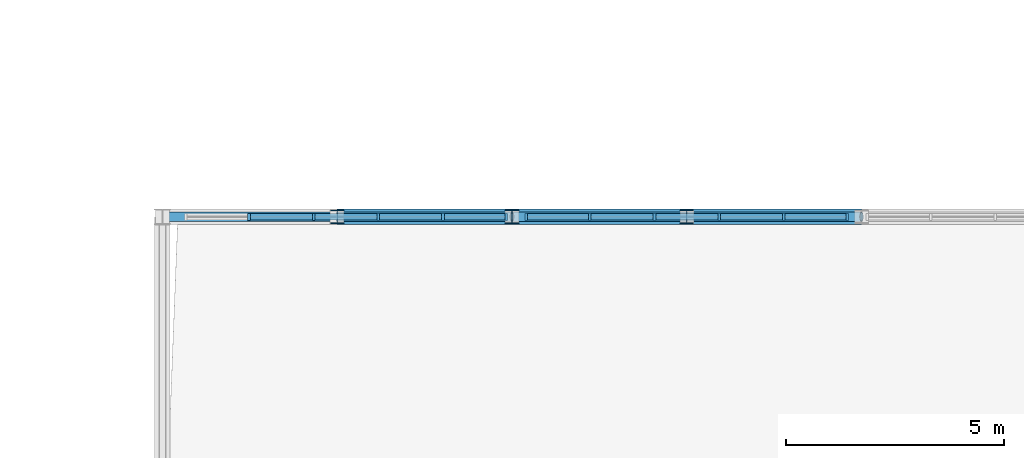
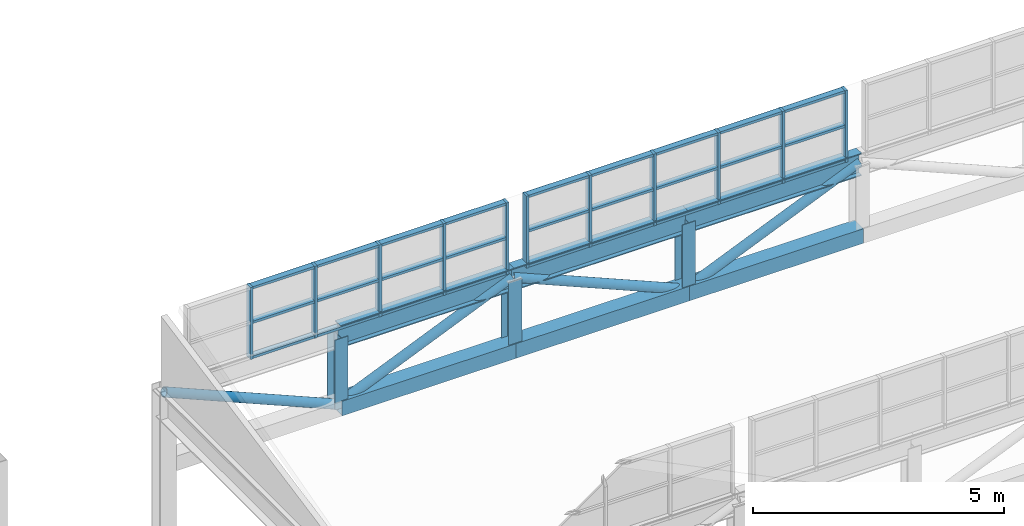
# One storey, part 85 of 159: 51 members, 2 elements without a shape of their own.
"""IFC4 building model written with IfcOpenShell, lengths in metres."""

from ifc_helpers import new_model, si_unit, direction, frame, origin, origin_2d, place, context, subcontext, project, spatial, rectangle, hollow_rectangle, hollow_circle, i_section, extrude, material, layer, layer_set, material_profile, profile_set, type_object, element, aggregate, save


model = new_model("IFC4")

# Units and contexts
model_context = context("Model", 3, precision=1e-05, world=origin(), true_north=direction((0.0, 1.0)))
body_context = subcontext(model_context, "Body", "Model", "MODEL_VIEW")
ifc_project = project(units=[si_unit("LENGTHUNIT", "METRE"), si_unit("AREAUNIT", "SQUARE_METRE"), si_unit("VOLUMEUNIT", "CUBIC_METRE"), si_unit("PLANEANGLEUNIT", "RADIAN"), si_unit("MASSUNIT", "GRAM", prefix="KILO")], contexts=[model_context])

# Site, building, storey
site_placement = place(None, origin())
site = spatial("IfcSite", under=ifc_project, at=site_placement, CompositionType="ELEMENT")
building_placement = place(site_placement, origin())
building = spatial("IfcBuilding", under=site, at=building_placement, Name="Cazmaro Siding Exhibition Halls", CompositionType="ELEMENT")
storey_placement = place(building_placement, frame((0.0, 0.0, 6.0)))
storey = spatial("IfcBuildingStorey", under=building, at=storey_placement, Name="L01", CompositionType="ELEMENT", Elevation=6.0)

# Curtain wall, members
ifc_material_1 = material(Name="Anodized Bronze Aluminum and Solar-Control Low-E Glazing", Category="aluminium")
ifc_layer = layer(ifc_material_1, 0.159912109375)
ifc_layer_set = layer_set([ifc_layer], Name="Anodized Bronze Aluminum and Solar-Control Low-E Glazing")
curtain_wall_type = type_object("IfcCurtainWallType", Name="CWS-04", PredefinedType="USERDEFINED", material=ifc_layer_set)
curtain_wall_1_placement = place(storey_placement, origin())
curtain_wall_1 = element("IfcCurtainWall", 1, at=curtain_wall_1_placement, inside=storey, type_object=curtain_wall_type, Name="Clerestory Curtain Wall CWS-04 CW-135", ObjectType="CLERESTORY CURTAIN WALL", PredefinedType="USERDEFINED")
ifc_material_2 = material(Name="Anodized Bronze Extruded Aluminum", Category="aluminium")
ifc_material_profile_1 = material_profile(ifc_material_2, rectangle(XDim=0.159912109375, YDim=0.06005859375, at=origin_2d()), Name="CWM-04")
ifc_profile_set_1 = profile_set([ifc_material_profile_1], Name="Anodized Bronze Extruded Aluminum")
member_type_1 = type_object("IfcMemberType", Name="CWM-04", PredefinedType="MULLION", material=ifc_profile_set_1)
member_1_placement = place(storey_placement, frame((183.8701171875, 118.0, 4.800048828125), z_axis=(0.0, 0.0, 1.0), x_axis=(0.0, -1.0, 0.0)))
member_1 = element("IfcMember", 2, at=member_1_placement, type_object=member_type_1, Name="CWS-04 mullion 1", PredefinedType="MULLION", context=body_context, shape_type="SweptSolid", body=[
    extrude(rectangle(XDim=0.159912109375, YDim=0.06005859375, at=origin_2d()), origin(), (0.0, 0.0, 1.0), 1.75),
])
member_2_placement = place(storey_placement, frame((182.419921875, 118.0, 4.800048828125), z_axis=(0.0, 0.0, 1.0), x_axis=(0.0, -1.0, 0.0)))
member_2 = element("IfcMember", 3, at=member_2_placement, type_object=member_type_1, Name="CWS-04 mullion 2", PredefinedType="MULLION", context=body_context, shape_type="SweptSolid", body=[
    extrude(rectangle(XDim=0.159912109375, YDim=0.06005859375, at=origin_2d()), origin(), (0.0, 0.0, 1.0), 1.75),
])
member_3_placement = place(storey_placement, frame((180.93994140625, 118.0, 4.800048828125), z_axis=(0.0, 0.0, 1.0), x_axis=(0.0, -1.0, 0.0)))
member_3 = element("IfcMember", 4, at=member_3_placement, type_object=member_type_1, Name="CWS-04 mullion 3", PredefinedType="MULLION", context=body_context, shape_type="SweptSolid", body=[
    extrude(rectangle(XDim=0.159912109375, YDim=0.06005859375, at=origin_2d()), origin(), (0.0, 0.0, 1.0), 1.75),
])
member_4_placement = place(storey_placement, frame((179.4599609375, 118.0, 4.800048828125), z_axis=(0.0, 0.0, 1.0), x_axis=(0.0, -1.0, 0.0)))
member_4 = element("IfcMember", 5, at=member_4_placement, type_object=member_type_1, Name="CWS-04 mullion 4", PredefinedType="MULLION", context=body_context, shape_type="SweptSolid", body=[
    extrude(rectangle(XDim=0.159912109375, YDim=0.06005859375, at=origin_2d()), origin(), (0.0, 0.0, 1.0), 1.75),
])
member_5_placement = place(storey_placement, frame((177.97998046875, 118.0, 4.800048828125), z_axis=(0.0, 0.0, 1.0), x_axis=(0.0, -1.0, 0.0)))
member_5 = element("IfcMember", 6, at=member_5_placement, type_object=member_type_1, Name="CWS-04 mullion 5", PredefinedType="MULLION", context=body_context, shape_type="SweptSolid", body=[
    extrude(rectangle(XDim=0.159912109375, YDim=0.06005859375, at=origin_2d()), origin(), (0.0, 0.0, 1.0), 1.75),
])

curtain_wall_2_placement = place(storey_placement, origin())
curtain_wall_2 = element("IfcCurtainWall", 7, at=curtain_wall_2_placement, inside=storey, type_object=curtain_wall_type, Name="Clerestory Curtain Wall CWS-04 CW-136", ObjectType="CLERESTORY CURTAIN WALL", PredefinedType="USERDEFINED")
member_6_placement = place(storey_placement, frame((191.669921875, 118.0, 4.800048828125), z_axis=(0.0, 0.0, 1.0), x_axis=(0.0, -1.0, 0.0)))
member_6 = element("IfcMember", 8, at=member_6_placement, type_object=member_type_1, Name="CWS-04 mullion 1", PredefinedType="MULLION", context=body_context, shape_type="SweptSolid", body=[
    extrude(rectangle(XDim=0.159912109375, YDim=0.06005859375, at=origin_2d()), origin(), (0.0, 0.0, 1.0), 1.75),
])
member_7_placement = place(storey_placement, frame((190.219970703125, 118.0, 4.800048828125), z_axis=(0.0, 0.0, 1.0), x_axis=(0.0, -1.0, 0.0)))
member_7 = element("IfcMember", 9, at=member_7_placement, type_object=member_type_1, Name="CWS-04 mullion 2", PredefinedType="MULLION", context=body_context, shape_type="SweptSolid", body=[
    extrude(rectangle(XDim=0.159912109375, YDim=0.06005859375, at=origin_2d()), origin(), (0.0, 0.0, 1.0), 1.75),
])
member_8_placement = place(storey_placement, frame((188.739990234375, 118.0, 4.800048828125), z_axis=(0.0, 0.0, 1.0), x_axis=(0.0, -1.0, 0.0)))
member_8 = element("IfcMember", 10, at=member_8_placement, type_object=member_type_1, Name="CWS-04 mullion 3", PredefinedType="MULLION", context=body_context, shape_type="SweptSolid", body=[
    extrude(rectangle(XDim=0.159912109375, YDim=0.06005859375, at=origin_2d()), origin(), (0.0, 0.0, 1.0), 1.75),
])
member_9_placement = place(storey_placement, frame((187.260009765625, 118.0, 4.800048828125), z_axis=(0.0, 0.0, 1.0), x_axis=(0.0, -1.0, 0.0)))
member_9 = element("IfcMember", 11, at=member_9_placement, type_object=member_type_1, Name="CWS-04 mullion 4", PredefinedType="MULLION", context=body_context, shape_type="SweptSolid", body=[
    extrude(rectangle(XDim=0.159912109375, YDim=0.06005859375, at=origin_2d()), origin(), (0.0, 0.0, 1.0), 1.75),
])
member_10_placement = place(storey_placement, frame((185.780029296875, 118.0, 4.800048828125), z_axis=(0.0, 0.0, 1.0), x_axis=(0.0, -1.0, 0.0)))
member_10 = element("IfcMember", 12, at=member_10_placement, type_object=member_type_1, Name="CWS-04 mullion 5", PredefinedType="MULLION", context=body_context, shape_type="SweptSolid", body=[
    extrude(rectangle(XDim=0.159912109375, YDim=0.06005859375, at=origin_2d()), origin(), (0.0, 0.0, 1.0), 1.75),
])
member_11_placement = place(storey_placement, frame((184.330078125, 118.0, 4.800048828125), z_axis=(0.0, 0.0, 1.0), x_axis=(0.0, -1.0, 0.0)))
member_11 = element("IfcMember", 13, at=member_11_placement, type_object=member_type_1, Name="CWS-04 mullion 6", PredefinedType="MULLION", context=body_context, shape_type="SweptSolid", body=[
    extrude(rectangle(XDim=0.159912109375, YDim=0.06005859375, at=origin_2d()), origin(), (0.0, 0.0, 1.0), 1.75),
])

# Member
ifc_material_3 = material(Name="Anodized Bronze Extruded Aluminum", Category="aluminium")
ifc_material_profile_2 = material_profile(ifc_material_3, rectangle(XDim=0.139892578125, YDim=0.06005859375, at=origin_2d()), Name="CWT-04")
ifc_profile_set_2 = profile_set([ifc_material_profile_2], Name="Anodized Bronze Extruded Aluminum")
member_type_2 = type_object("IfcMemberType", Name="CWT-04", PredefinedType="MULLION", material=ifc_profile_set_2)
member_12_placement = place(storey_placement, frame((183.840087890625, 118.0, 4.830078125), z_axis=(-1.0, 0.0, 0.0), x_axis=(0.0, -1.0, 0.0)))
member_12 = element("IfcMember", 14, at=member_12_placement, type_object=member_type_2, Name="CWS-04 transom 1.1", ObjectType="TRANSOM", PredefinedType="USERDEFINED", context=body_context, shape_type="SweptSolid", body=[
    extrude(rectangle(XDim=0.139892578125, YDim=0.06005859375, at=origin_2d()), origin(), (0.0, 0.0, 1.0), 1.39013671875),
])

member_13_placement = place(storey_placement, frame((183.840087890625, 118.0, 5.679931640625), z_axis=(-1.0, 0.0, 0.0), x_axis=(0.0, -1.0, 0.0)))
member_13 = element("IfcMember", 15, at=member_13_placement, type_object=member_type_2, Name="CWS-04 transom 1.2", ObjectType="TRANSOM", PredefinedType="USERDEFINED", context=body_context, shape_type="SweptSolid", body=[
    extrude(rectangle(XDim=0.139892578125, YDim=0.06005859375, at=origin_2d()), origin(), (0.0, 0.0, 1.0), 1.39013671875),
])

member_14_placement = place(storey_placement, frame((183.840087890625, 118.0, 6.52001953125), z_axis=(-1.0, 0.0, 0.0), x_axis=(0.0, -1.0, 0.0)))
member_14 = element("IfcMember", 16, at=member_14_placement, type_object=member_type_2, Name="CWS-04 transom 1.3", ObjectType="TRANSOM", PredefinedType="USERDEFINED", context=body_context, shape_type="SweptSolid", body=[
    extrude(rectangle(XDim=0.139892578125, YDim=0.06005859375, at=origin_2d()), origin(), (0.0, 0.0, 1.0), 1.39013671875),
])

member_15_placement = place(storey_placement, frame((182.389892578125, 118.0, 4.830078125), z_axis=(-1.0, 0.0, 0.0), x_axis=(0.0, -1.0, 0.0)))
member_15 = element("IfcMember", 17, at=member_15_placement, type_object=member_type_2, Name="CWS-04 transom 2.1", ObjectType="TRANSOM", PredefinedType="USERDEFINED", context=body_context, shape_type="SweptSolid", body=[
    extrude(rectangle(XDim=0.139892578125, YDim=0.06005859375, at=origin_2d()), origin(), (0.0, 0.0, 1.0), 1.419921875),
])

member_16_placement = place(storey_placement, frame((182.389892578125, 118.0, 5.679931640625), z_axis=(-1.0, 0.0, 0.0), x_axis=(0.0, -1.0, 0.0)))
member_16 = element("IfcMember", 18, at=member_16_placement, type_object=member_type_2, Name="CWS-04 transom 2.2", ObjectType="TRANSOM", PredefinedType="USERDEFINED", context=body_context, shape_type="SweptSolid", body=[
    extrude(rectangle(XDim=0.139892578125, YDim=0.06005859375, at=origin_2d()), origin(), (0.0, 0.0, 1.0), 1.419921875),
])

member_17_placement = place(storey_placement, frame((182.389892578125, 118.0, 6.52001953125), z_axis=(-1.0, 0.0, 0.0), x_axis=(0.0, -1.0, 0.0)))
member_17 = element("IfcMember", 19, at=member_17_placement, type_object=member_type_2, Name="CWS-04 transom 2.3", ObjectType="TRANSOM", PredefinedType="USERDEFINED", context=body_context, shape_type="SweptSolid", body=[
    extrude(rectangle(XDim=0.139892578125, YDim=0.06005859375, at=origin_2d()), origin(), (0.0, 0.0, 1.0), 1.419921875),
])

member_18_placement = place(storey_placement, frame((180.909912109375, 118.0, 4.830078125), z_axis=(-1.0, 0.0, 0.0), x_axis=(0.0, -1.0, 0.0)))
member_18 = element("IfcMember", 20, at=member_18_placement, type_object=member_type_2, Name="CWS-04 transom 3.1", ObjectType="TRANSOM", PredefinedType="USERDEFINED", context=body_context, shape_type="SweptSolid", body=[
    extrude(rectangle(XDim=0.139892578125, YDim=0.06005859375, at=origin_2d()), origin(), (0.0, 0.0, 1.0), 1.419921875),
])

member_19_placement = place(storey_placement, frame((180.909912109375, 118.0, 5.679931640625), z_axis=(-1.0, 0.0, 0.0), x_axis=(0.0, -1.0, 0.0)))
member_19 = element("IfcMember", 21, at=member_19_placement, type_object=member_type_2, Name="CWS-04 transom 3.2", ObjectType="TRANSOM", PredefinedType="USERDEFINED", context=body_context, shape_type="SweptSolid", body=[
    extrude(rectangle(XDim=0.139892578125, YDim=0.06005859375, at=origin_2d()), origin(), (0.0, 0.0, 1.0), 1.419921875),
])

member_20_placement = place(storey_placement, frame((180.909912109375, 118.0, 6.52001953125), z_axis=(-1.0, 0.0, 0.0), x_axis=(0.0, -1.0, 0.0)))
member_20 = element("IfcMember", 22, at=member_20_placement, type_object=member_type_2, Name="CWS-04 transom 3.3", ObjectType="TRANSOM", PredefinedType="USERDEFINED", context=body_context, shape_type="SweptSolid", body=[
    extrude(rectangle(XDim=0.139892578125, YDim=0.06005859375, at=origin_2d()), origin(), (0.0, 0.0, 1.0), 1.419921875),
])

member_21_placement = place(storey_placement, frame((179.429931640625, 118.0, 4.830078125), z_axis=(-1.0, 0.0, 0.0), x_axis=(0.0, -1.0, 0.0)))
member_21 = element("IfcMember", 23, at=member_21_placement, type_object=member_type_2, Name="CWS-04 transom 4.1", ObjectType="TRANSOM", PredefinedType="USERDEFINED", context=body_context, shape_type="SweptSolid", body=[
    extrude(rectangle(XDim=0.139892578125, YDim=0.06005859375, at=origin_2d()), origin(), (0.0, 0.0, 1.0), 1.419921875),
])

member_22_placement = place(storey_placement, frame((179.429931640625, 118.0, 5.679931640625), z_axis=(-1.0, 0.0, 0.0), x_axis=(0.0, -1.0, 0.0)))
member_22 = element("IfcMember", 24, at=member_22_placement, type_object=member_type_2, Name="CWS-04 transom 4.2", ObjectType="TRANSOM", PredefinedType="USERDEFINED", context=body_context, shape_type="SweptSolid", body=[
    extrude(rectangle(XDim=0.139892578125, YDim=0.06005859375, at=origin_2d()), origin(), (0.0, 0.0, 1.0), 1.419921875),
])

member_23_placement = place(storey_placement, frame((179.429931640625, 118.0, 6.52001953125), z_axis=(-1.0, 0.0, 0.0), x_axis=(0.0, -1.0, 0.0)))
member_23 = element("IfcMember", 25, at=member_23_placement, type_object=member_type_2, Name="CWS-04 transom 4.3", ObjectType="TRANSOM", PredefinedType="USERDEFINED", context=body_context, shape_type="SweptSolid", body=[
    extrude(rectangle(XDim=0.139892578125, YDim=0.06005859375, at=origin_2d()), origin(), (0.0, 0.0, 1.0), 1.419921875),
])

aggregate(curtain_wall_1, [member_1, member_2, member_3, member_4, member_5, member_12, member_13, member_14, member_15, member_16, member_17, member_18, member_19, member_20, member_21, member_22, member_23])

member_24_placement = place(storey_placement, frame((191.639892578125, 118.0, 4.830078125), z_axis=(-1.0, 0.0, 0.0), x_axis=(0.0, -1.0, 0.0)))
member_24 = element("IfcMember", 26, at=member_24_placement, type_object=member_type_2, Name="CWS-04 transom 1.1", ObjectType="TRANSOM", PredefinedType="USERDEFINED", context=body_context, shape_type="SweptSolid", body=[
    extrude(rectangle(XDim=0.139892578125, YDim=0.06005859375, at=origin_2d()), origin(), (0.0, 0.0, 1.0), 1.389892578125),
])

member_25_placement = place(storey_placement, frame((191.639892578125, 118.0, 5.679931640625), z_axis=(-1.0, 0.0, 0.0), x_axis=(0.0, -1.0, 0.0)))
member_25 = element("IfcMember", 27, at=member_25_placement, type_object=member_type_2, Name="CWS-04 transom 1.2", ObjectType="TRANSOM", PredefinedType="USERDEFINED", context=body_context, shape_type="SweptSolid", body=[
    extrude(rectangle(XDim=0.139892578125, YDim=0.06005859375, at=origin_2d()), origin(), (0.0, 0.0, 1.0), 1.389892578125),
])

member_26_placement = place(storey_placement, frame((191.639892578125, 118.0, 6.52001953125), z_axis=(-1.0, 0.0, 0.0), x_axis=(0.0, -1.0, 0.0)))
member_26 = element("IfcMember", 28, at=member_26_placement, type_object=member_type_2, Name="CWS-04 transom 1.3", ObjectType="TRANSOM", PredefinedType="USERDEFINED", context=body_context, shape_type="SweptSolid", body=[
    extrude(rectangle(XDim=0.139892578125, YDim=0.06005859375, at=origin_2d()), origin(), (0.0, 0.0, 1.0), 1.389892578125),
])

member_27_placement = place(storey_placement, frame((190.18994140625, 118.0, 4.830078125), z_axis=(-1.0, 0.0, 0.0), x_axis=(0.0, -1.0, 0.0)))
member_27 = element("IfcMember", 29, at=member_27_placement, type_object=member_type_2, Name="CWS-04 transom 2.1", ObjectType="TRANSOM", PredefinedType="USERDEFINED", context=body_context, shape_type="SweptSolid", body=[
    extrude(rectangle(XDim=0.139892578125, YDim=0.06005859375, at=origin_2d()), origin(), (0.0, 0.0, 1.0), 1.419921875),
])

member_28_placement = place(storey_placement, frame((190.18994140625, 118.0, 5.679931640625), z_axis=(-1.0, 0.0, 0.0), x_axis=(0.0, -1.0, 0.0)))
member_28 = element("IfcMember", 30, at=member_28_placement, type_object=member_type_2, Name="CWS-04 transom 2.2", ObjectType="TRANSOM", PredefinedType="USERDEFINED", context=body_context, shape_type="SweptSolid", body=[
    extrude(rectangle(XDim=0.139892578125, YDim=0.06005859375, at=origin_2d()), origin(), (0.0, 0.0, 1.0), 1.419921875),
])

member_29_placement = place(storey_placement, frame((190.18994140625, 118.0, 6.52001953125), z_axis=(-1.0, 0.0, 0.0), x_axis=(0.0, -1.0, 0.0)))
member_29 = element("IfcMember", 31, at=member_29_placement, type_object=member_type_2, Name="CWS-04 transom 2.3", ObjectType="TRANSOM", PredefinedType="USERDEFINED", context=body_context, shape_type="SweptSolid", body=[
    extrude(rectangle(XDim=0.139892578125, YDim=0.06005859375, at=origin_2d()), origin(), (0.0, 0.0, 1.0), 1.419921875),
])

member_30_placement = place(storey_placement, frame((188.7099609375, 118.0, 4.830078125), z_axis=(-1.0, 0.0, 0.0), x_axis=(0.0, -1.0, 0.0)))
member_30 = element("IfcMember", 32, at=member_30_placement, type_object=member_type_2, Name="CWS-04 transom 3.1", ObjectType="TRANSOM", PredefinedType="USERDEFINED", context=body_context, shape_type="SweptSolid", body=[
    extrude(rectangle(XDim=0.139892578125, YDim=0.06005859375, at=origin_2d()), origin(), (0.0, 0.0, 1.0), 1.419921875),
])

member_31_placement = place(storey_placement, frame((188.7099609375, 118.0, 5.679931640625), z_axis=(-1.0, 0.0, 0.0), x_axis=(0.0, -1.0, 0.0)))
member_31 = element("IfcMember", 33, at=member_31_placement, type_object=member_type_2, Name="CWS-04 transom 3.2", ObjectType="TRANSOM", PredefinedType="USERDEFINED", context=body_context, shape_type="SweptSolid", body=[
    extrude(rectangle(XDim=0.139892578125, YDim=0.06005859375, at=origin_2d()), origin(), (0.0, 0.0, 1.0), 1.419921875),
])

member_32_placement = place(storey_placement, frame((188.7099609375, 118.0, 6.52001953125), z_axis=(-1.0, 0.0, 0.0), x_axis=(0.0, -1.0, 0.0)))
member_32 = element("IfcMember", 34, at=member_32_placement, type_object=member_type_2, Name="CWS-04 transom 3.3", ObjectType="TRANSOM", PredefinedType="USERDEFINED", context=body_context, shape_type="SweptSolid", body=[
    extrude(rectangle(XDim=0.139892578125, YDim=0.06005859375, at=origin_2d()), origin(), (0.0, 0.0, 1.0), 1.419921875),
])

member_33_placement = place(storey_placement, frame((187.22998046875, 118.0, 4.830078125), z_axis=(-1.0, 0.0, 0.0), x_axis=(0.0, -1.0, 0.0)))
member_33 = element("IfcMember", 35, at=member_33_placement, type_object=member_type_2, Name="CWS-04 transom 4.1", ObjectType="TRANSOM", PredefinedType="USERDEFINED", context=body_context, shape_type="SweptSolid", body=[
    extrude(rectangle(XDim=0.139892578125, YDim=0.06005859375, at=origin_2d()), origin(), (0.0, 0.0, 1.0), 1.419921875),
])

member_34_placement = place(storey_placement, frame((187.22998046875, 118.0, 5.679931640625), z_axis=(-1.0, 0.0, 0.0), x_axis=(0.0, -1.0, 0.0)))
member_34 = element("IfcMember", 36, at=member_34_placement, type_object=member_type_2, Name="CWS-04 transom 4.2", ObjectType="TRANSOM", PredefinedType="USERDEFINED", context=body_context, shape_type="SweptSolid", body=[
    extrude(rectangle(XDim=0.139892578125, YDim=0.06005859375, at=origin_2d()), origin(), (0.0, 0.0, 1.0), 1.419921875),
])

member_35_placement = place(storey_placement, frame((187.22998046875, 118.0, 6.52001953125), z_axis=(-1.0, 0.0, 0.0), x_axis=(0.0, -1.0, 0.0)))
member_35 = element("IfcMember", 37, at=member_35_placement, type_object=member_type_2, Name="CWS-04 transom 4.3", ObjectType="TRANSOM", PredefinedType="USERDEFINED", context=body_context, shape_type="SweptSolid", body=[
    extrude(rectangle(XDim=0.139892578125, YDim=0.06005859375, at=origin_2d()), origin(), (0.0, 0.0, 1.0), 1.419921875),
])

member_36_placement = place(storey_placement, frame((185.75, 118.0, 4.830078125), z_axis=(-1.0, 0.0, 0.0), x_axis=(0.0, -1.0, 0.0)))
member_36 = element("IfcMember", 38, at=member_36_placement, type_object=member_type_2, Name="CWS-04 transom 5.1", ObjectType="TRANSOM", PredefinedType="USERDEFINED", context=body_context, shape_type="SweptSolid", body=[
    extrude(rectangle(XDim=0.139892578125, YDim=0.06005859375, at=origin_2d()), origin(), (0.0, 0.0, 1.0), 1.389892578125),
])

member_37_placement = place(storey_placement, frame((185.75, 118.0, 5.679931640625), z_axis=(-1.0, 0.0, 0.0), x_axis=(0.0, -1.0, 0.0)))
member_37 = element("IfcMember", 39, at=member_37_placement, type_object=member_type_2, Name="CWS-04 transom 5.2", ObjectType="TRANSOM", PredefinedType="USERDEFINED", context=body_context, shape_type="SweptSolid", body=[
    extrude(rectangle(XDim=0.139892578125, YDim=0.06005859375, at=origin_2d()), origin(), (0.0, 0.0, 1.0), 1.389892578125),
])

member_38_placement = place(storey_placement, frame((185.75, 118.0, 6.52001953125), z_axis=(-1.0, 0.0, 0.0), x_axis=(0.0, -1.0, 0.0)))
member_38 = element("IfcMember", 40, at=member_38_placement, type_object=member_type_2, Name="CWS-04 transom 5.3", ObjectType="TRANSOM", PredefinedType="USERDEFINED", context=body_context, shape_type="SweptSolid", body=[
    extrude(rectangle(XDim=0.139892578125, YDim=0.06005859375, at=origin_2d()), origin(), (0.0, 0.0, 1.0), 1.389892578125),
])

aggregate(curtain_wall_2, [member_6, member_7, member_8, member_9, member_10, member_11, member_24, member_25, member_26, member_27, member_28, member_29, member_30, member_31, member_32, member_33, member_34, member_35, member_36, member_37, member_38])

# Members
ifc_material_4 = material(Name="Steel ASTM A992 Grade 50", Category="steel")
ifc_material_profile_3 = material_profile(ifc_material_4, i_section(OverallWidth=0.214111328125, OverallDepth=0.549072265625, WebThickness=0.014892578125, FlangeThickness=0.02392578125, at=origin_2d()), Name="W21X93")
ifc_profile_set_3 = profile_set([ifc_material_profile_3], Name="Steel ASTM A992 Grade 50")
member_type_3 = type_object("IfcMemberType", Name="TC-04", PredefinedType="CHORD", material=ifc_profile_set_3)
for number, where, z_axis, x_axis, name in (
    (41, (180.0, 118.0, 4.64990234375), (1.0, 0.0, 0.0), (0.0, 1.0, 0.0), "Sawtooth truss top chord TC-04 MEM-3208"),
    (42, (184.0, 118.0, 4.64990234375), (1.0, 0.0, 0.0), (0.0, 1.0, 0.0), "Sawtooth truss top chord TC-04 MEM-3211"),
    (43, (188.0, 118.0, 4.64990234375), (1.0, 0.0, 0.0), (0.0, 1.0, 0.0), "Sawtooth truss top chord TC-04 MEM-3214"),
):
    element("IfcMember", number, at=place(storey_placement, frame(where, z_axis=z_axis, x_axis=x_axis)), inside=storey, type_object=member_type_3, Name=name, PredefinedType="CHORD", context=body_context, shape_type="SweptSolid", body=[
        extrude(i_section(OverallWidth=0.214111328125, OverallDepth=0.549072265625, WebThickness=0.014892578125, FlangeThickness=0.02392578125, at=origin_2d()), origin(), (0.0, 0.0, 1.0), 4.0),
    ])
ifc_material_5 = material(Name="Steel ASTM A500 Grade C", Category="steel")
ifc_material_profile_4 = material_profile(ifc_material_5, hollow_rectangle(XDim=0.35595703125, YDim=0.35595703125, WallThickness=0.014892578125, at=origin_2d()), Name="HSS14X14X5/8")
ifc_profile_set_4 = profile_set([ifc_material_profile_4], Name="Steel ASTM A500 Grade C")
member_type_4 = type_object("IfcMemberType", Name="TC-05", PredefinedType="CHORD", material=ifc_profile_set_4)
for number, where, z_axis, x_axis, name in (
    (44, (180.0, 118.0, 2.949951171875), (1.0, 0.0, 0.0), (0.0, 1.0, 0.0), "Sawtooth truss bottom chord TC-05 MEM-3209"),
    (45, (184.0, 118.0, 2.949951171875), (1.0, 0.0, 0.0), (0.0, 1.0, 0.0), "Sawtooth truss bottom chord TC-05 MEM-3212"),
    (46, (188.0, 118.0, 2.949951171875), (1.0, 0.0, 0.0), (0.0, 1.0, 0.0), "Sawtooth truss bottom chord TC-05 MEM-3215"),
):
    element("IfcMember", number, at=place(storey_placement, frame(where, z_axis=z_axis, x_axis=x_axis)), inside=storey, type_object=member_type_4, Name=name, PredefinedType="CHORD", context=body_context, shape_type="SweptSolid", body=[
        extrude(hollow_rectangle(XDim=0.35595703125, YDim=0.35595703125, WallThickness=0.014892578125, at=origin_2d()), origin(), (0.0, 0.0, 1.0), 4.0),
    ])
ifc_material_6 = material(Name="Steel ASTM A992 Grade 50", Category="steel")
ifc_material_profile_5 = material_profile(ifc_material_6, i_section(OverallWidth=0.304931640625, OverallDepth=0.306884765625, WebThickness=0.010009765625, FlangeThickness=0.014892578125, at=origin_2d()), Name="W12X65")
ifc_profile_set_5 = profile_set([ifc_material_profile_5], Name="Steel ASTM A992 Grade 50")
member_type_5 = type_object("IfcMemberType", Name="TP-03", PredefinedType="POST", material=ifc_profile_set_5)
for number, where, z_axis, x_axis, name in (
    (47, (180.0, 118.0, 2.949951171875), (0.0, 0.0, 1.0), (1.0, 0.0, 0.0), "Sawtooth truss post TP-03 MEM-3235"),
    (48, (184.0, 118.0, 2.949951171875), (0.0, 0.0, 1.0), (1.0, 0.0, 0.0), "Sawtooth truss post TP-03 MEM-3236"),
    (49, (188.0, 118.0, 2.949951171875), (0.0, 0.0, 1.0), (1.0, 0.0, 0.0), "Sawtooth truss post TP-03 MEM-3237"),
):
    element("IfcMember", number, at=place(storey_placement, frame(where, z_axis=z_axis, x_axis=x_axis)), inside=storey, type_object=member_type_5, Name=name, PredefinedType="POST", context=body_context, shape_type="SweptSolid", body=[
        extrude(i_section(OverallWidth=0.304931640625, OverallDepth=0.306884765625, WebThickness=0.010009765625, FlangeThickness=0.014892578125, at=origin_2d()), origin(), (0.0, 0.0, 1.0), 1.699951171875),
    ])
ifc_material_7 = material(Name="Steel ASTM A500 Grade C", Category="steel")
ifc_material_profile_6 = material_profile(ifc_material_7, hollow_circle(Radius=0.109619140625, WallThickness=0.012939453125, at=origin_2d()), Name="PIPE8XS")
ifc_profile_set_6 = profile_set([ifc_material_profile_6], Name="Steel ASTM A500 Grade C")
member_type_6 = type_object("IfcMemberType", Name="WB-01", PredefinedType="BRACE", material=ifc_profile_set_6)
for number, where, z_axis, x_axis, name in (
    (50, (176.0, 118.0, 4.64990234375), (0.920334962612, 0.0, -0.391131124553), (0.0, 1.0, 0.0), "Sawtooth truss diagonal WB-01 MEM-3207"),
    (51, (180.0, 118.0, 2.949951171875), (0.920334962612, 0.0, 0.391131124553), (0.0, 1.0, 0.0), "Sawtooth truss diagonal WB-01 MEM-3210"),
    (52, (184.0, 118.0, 4.64990234375), (0.920334962612, 0.0, -0.391131124553), (0.0, 1.0, 0.0), "Sawtooth truss diagonal WB-01 MEM-3213"),
    (53, (188.0, 118.0, 2.949951171875), (0.920334962612, 0.0, 0.391131124553), (0.0, 1.0, 0.0), "Sawtooth truss diagonal WB-01 MEM-3216"),
):
    element("IfcMember", number, at=place(storey_placement, frame(where, z_axis=z_axis, x_axis=x_axis)), inside=storey, type_object=member_type_6, Name=name, PredefinedType="BRACE", context=body_context, shape_type="SweptSolid", body=[
        extrude(hollow_circle(Radius=0.109619140625, WallThickness=0.012939453125, at=origin_2d()), origin(), (0.0, 0.0, 1.0), 4.34619140625),
    ])

save(model, "model.ifc")
